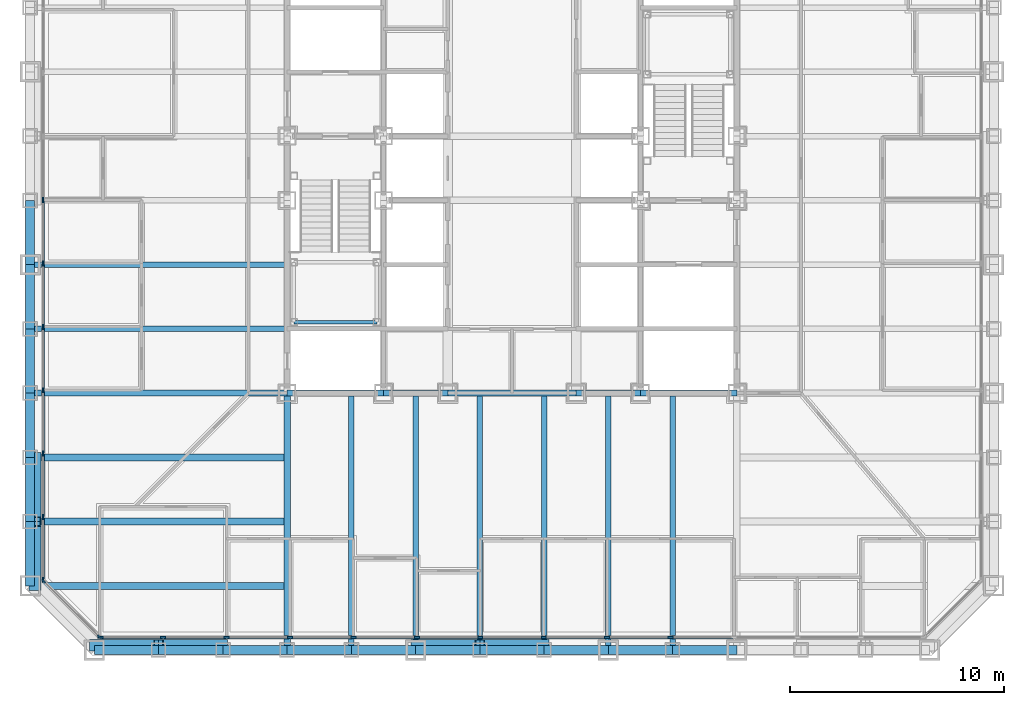
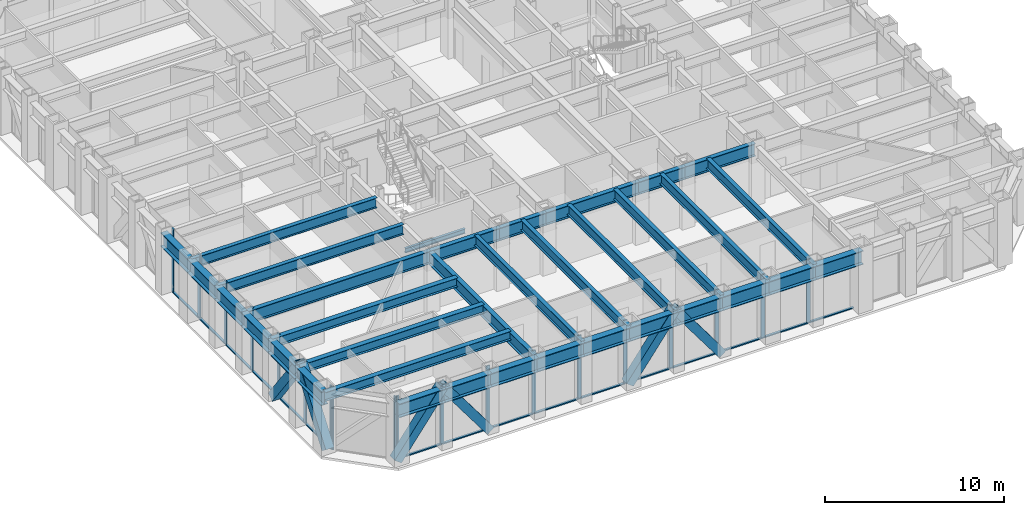
# One storey, part 2 of 16: 41 members, 35 beams, 3 elements without a shape of their own.
"""IFC4 building model written with IfcOpenShell, lengths in metres."""

from ifc_helpers import new_model, si_unit, direction, frame, origin, origin_2d, place, context, subcontext, project, spatial, rectangle, hollow_rectangle, i_section, extrude, material, layer, layer_set, material_profile, profile_set, type_object, element, aggregate, save


model = new_model("IFC4")

# Units and contexts
model_context = context("Model", 3, precision=1e-05, world=origin(), true_north=direction((0.0, 1.0)))
body_context = subcontext(model_context, "Body", "Model", "MODEL_VIEW")
ifc_project = project(units=[si_unit("LENGTHUNIT", "METRE"), si_unit("AREAUNIT", "SQUARE_METRE"), si_unit("VOLUMEUNIT", "CUBIC_METRE"), si_unit("PLANEANGLEUNIT", "RADIAN"), si_unit("MASSUNIT", "GRAM", prefix="KILO")], contexts=[model_context])

# Site, building, storey
site_placement = place(None, origin())
site = spatial("IfcSite", under=ifc_project, at=site_placement, CompositionType="ELEMENT")
building_placement = place(site_placement, origin())
building = spatial("IfcBuilding", under=site, at=building_placement, Name="Chuquiago Exchange Tower", CompositionType="ELEMENT")
storey_placement = place(building_placement, frame((0.0, 0.0, 33.300048828125)))
storey = spatial("IfcBuildingStorey", under=building, at=storey_placement, Name="L06", CompositionType="ELEMENT", Elevation=33.300048828125)

# Beams
ifc_material_1 = material(Name="Steel ASTM A992", Category="steel")
ifc_material_profile_1 = material_profile(ifc_material_1, i_section(OverallWidth=0.2919921875, OverallDepth=0.8583984375, WebThickness=0.01708984375, FlangeThickness=0.031005859375, at=origin_2d()), Name="W33X169")
ifc_profile_set_1 = profile_set([ifc_material_profile_1], Name="Steel ASTM A992")
beam_type_1 = type_object("IfcBeamType", Name="B3 W33X169", PredefinedType="BEAM", material=ifc_profile_set_1)
beam_1_placement = place(storey_placement, frame((12.0, 12.0, 3.610595703125), z_axis=(1.0, 0.0, 0.0), x_axis=(0.0, 1.0, 0.0)))
element("IfcBeam", 1, at=beam_1_placement, inside=storey, type_object=beam_type_1, Name="CB-L07-12_12-16.5_12", PredefinedType="BEAM", context=body_context, shape_type="SweptSolid", body=[
    extrude(i_section(OverallWidth=0.2919921875, OverallDepth=0.8583984375, WebThickness=0.01708984375, FlangeThickness=0.031005859375, at=origin_2d()), origin(), (0.0, 0.0, 1.0), 4.5),
])
beam_2_placement = place(storey_placement, frame((16.5, 12.0, 3.610595703125), z_axis=(1.0, 0.0, 0.0), x_axis=(0.0, 1.0, 0.0)))
element("IfcBeam", 2, at=beam_2_placement, inside=storey, type_object=beam_type_1, Name="CB-L07-16.5_12-19.5_12", PredefinedType="BEAM", context=body_context, shape_type="SweptSolid", body=[
    extrude(i_section(OverallWidth=0.2919921875, OverallDepth=0.8583984375, WebThickness=0.01708984375, FlangeThickness=0.031005859375, at=origin_2d()), origin(), (0.0, 0.0, 1.0), 3.0),
])
beam_3_placement = place(storey_placement, frame((19.5, 12.0, 3.610595703125), z_axis=(1.0, 0.0, 0.0), x_axis=(0.0, 1.0, 0.0)))
element("IfcBeam", 3, at=beam_3_placement, inside=storey, type_object=beam_type_1, Name="CB-L07-19.5_12-25.5_12", PredefinedType="BEAM", context=body_context, shape_type="SweptSolid", body=[
    extrude(i_section(OverallWidth=0.2919921875, OverallDepth=0.8583984375, WebThickness=0.01708984375, FlangeThickness=0.031005859375, at=origin_2d()), origin(), (0.0, 0.0, 1.0), 6.0),
])
beam_4_placement = place(storey_placement, frame((25.5, 12.0, 3.610595703125), z_axis=(1.0, 0.0, 0.0), x_axis=(0.0, 1.0, 0.0)))
element("IfcBeam", 4, at=beam_4_placement, inside=storey, type_object=beam_type_1, Name="CB-L07-25.5_12-28.5_12", PredefinedType="BEAM", context=body_context, shape_type="SweptSolid", body=[
    extrude(i_section(OverallWidth=0.2919921875, OverallDepth=0.8583984375, WebThickness=0.01708984375, FlangeThickness=0.031005859375, at=origin_2d()), origin(), (0.0, 0.0, 1.0), 3.0),
])
beam_5_placement = place(storey_placement, frame((28.5, 12.0, 3.610595703125), z_axis=(1.0, 0.0, 0.0), x_axis=(0.0, 1.0, 0.0)))
element("IfcBeam", 5, at=beam_5_placement, inside=storey, type_object=beam_type_1, Name="CB-L07-28.5_12-33_12", PredefinedType="BEAM", context=body_context, shape_type="SweptSolid", body=[
    extrude(i_section(OverallWidth=0.2919921875, OverallDepth=0.8583984375, WebThickness=0.01708984375, FlangeThickness=0.031005859375, at=origin_2d()), origin(), (0.0, 0.0, 1.0), 4.5),
])
ifc_material_2 = material(Name="Steel ASTM A992", Category="steel")
ifc_material_profile_2 = material_profile(ifc_material_2, i_section(OverallWidth=0.256591796875, OverallDepth=0.693359375, WebThickness=0.014404296875, FlangeThickness=0.023681640625, at=origin_2d()), Name="W27X114")
ifc_profile_set_2 = profile_set([ifc_material_profile_2], Name="Steel ASTM A992")
beam_type_2 = type_object("IfcBeamType", Name="B4 W27X114", PredefinedType="BEAM", material=ifc_profile_set_2)
for number, where, z_axis, x_axis, name in (
    (6, (15.0, 12.0, 3.693359375), (0.0, -1.0, 0.0), (1.0, 0.0, 0.0), "FB-L07-infill-15_12-15_-0-0"),
    (7, (18.0, 12.0, 3.693359375), (0.0, -1.0, 0.0), (1.0, 0.0, 0.0), "FB-L07-infill-18_12-18_-0-0"),
    (8, (21.0, 12.0, 3.693359375), (0.0, -1.0, 0.0), (1.0, 0.0, 0.0), "FB-L07-infill-21_12-21_-0-0"),
    (9, (24.0, 12.0, 3.693359375), (0.0, -1.0, 0.0), (1.0, 0.0, 0.0), "FB-L07-infill-24_12-24_-0-0"),
    (10, (27.0, 12.0, 3.693359375), (0.0, -1.0, 0.0), (1.0, 0.0, 0.0), "FB-L07-infill-27_12-27_-0-0"),
    (11, (30.0, 12.0, 3.693359375), (0.0, -1.0, 0.0), (1.0, 0.0, 0.0), "FB-L07-infill-30_12-30_-0-0"),
    (12, (12.0, 15.0, 3.693359375), (-1.0, 0.0, 0.0), (0.0, -1.0, 0.0), "FB-L07-infill-12_15--0_15-0"),
    (13, (12.0, 18.0, 3.693359375), (-1.0, 0.0, 0.0), (0.0, -1.0, 0.0), "FB-L07-infill-12_18--0_18-0"),
):
    element("IfcBeam", number, at=place(storey_placement, frame(where, z_axis=z_axis, x_axis=x_axis)), inside=storey, type_object=beam_type_2, Name=name, PredefinedType="BEAM", context=body_context, shape_type="SweptSolid", body=[
        extrude(i_section(OverallWidth=0.256591796875, OverallDepth=0.693359375, WebThickness=0.014404296875, FlangeThickness=0.023681640625, at=origin_2d()), origin(), (0.0, 0.0, 1.0), 12.0),
    ])
ifc_material_3 = material(Name="Steel ASTM A992", Category="steel")
ifc_material_profile_3 = material_profile(ifc_material_3, i_section(OverallWidth=0.3251953125, OverallDepth=0.6171875, WebThickness=0.013916015625, FlangeThickness=0.021484375, at=origin_2d()), Name="W24X117")
ifc_profile_set_3 = profile_set([ifc_material_profile_3], Name="Steel ASTM A992")
beam_type_3 = type_object("IfcBeamType", Name="B5 W24X117", PredefinedType="BEAM", material=ifc_profile_set_3)
for number, where, z_axis, x_axis, name in (
    (14, (12.0, 3.0, 3.7314453125), (-1.0, 0.0, 0.0), (0.0, -1.0, 0.0), "FB-L07-corner-12_3--0_3-0"),
    (15, (12.0, 6.0, 3.7314453125), (-1.0, 0.0, 0.0), (0.0, -1.0, 0.0), "FB-L07-corner-12_6--0_6-0"),
    (16, (12.0, 9.0, 3.7314453125), (-1.0, 0.0, 0.0), (0.0, -1.0, 0.0), "FB-L07-corner-12_9--0_9-0"),
):
    element("IfcBeam", number, at=place(storey_placement, frame(where, z_axis=z_axis, x_axis=x_axis)), inside=storey, type_object=beam_type_3, Name=name, PredefinedType="BEAM", context=body_context, shape_type="SweptSolid", body=[
        extrude(i_section(OverallWidth=0.3251953125, OverallDepth=0.6171875, WebThickness=0.013916015625, FlangeThickness=0.021484375, at=origin_2d()), origin(), (0.0, 0.0, 1.0), 12.0),
    ])

# Curtain wall, members
ifc_material_4 = material(Name="Aluminium curtain wall system", Category="aluminium")
ifc_layer_1 = layer(ifc_material_4, 0.25)
ifc_layer_set_1 = layer_set([ifc_layer_1], Name="CW1 trading floor curtain wall")
curtain_wall_type_1 = type_object("IfcCurtainWallType", Name="CW1 trading floor curtain wall", PredefinedType="NOTDEFINED", material=ifc_layer_set_1)
curtain_wall_1_placement = place(storey_placement, origin())
curtain_wall_1 = element("IfcCurtainWall", 17, at=curtain_wall_1_placement, inside=storey, type_object=curtain_wall_type_1, Name="CW1 curtain wall L06", PredefinedType="NOTDEFINED")
ifc_material_5 = material(Name="Aluminium mullion, pale anodised", Category="aluminium")
ifc_material_profile_4 = material_profile(ifc_material_5, rectangle(XDim=0.074951171875, YDim=0.25, at=origin_2d()), Name="AL 75x250")
ifc_profile_set_4 = profile_set([ifc_material_profile_4], Name="Aluminium mullion, pale anodised")
member_type_1 = type_object("IfcMemberType", Name="CW1-M mullion 75x250", PredefinedType="MULLION", material=ifc_profile_set_4)
member_1_placement = place(storey_placement, frame((3.285888671875, 0.60009765625, -0.300048828125), z_axis=(0.0, 0.0, 1.0), x_axis=(0.0, 1.0, 0.0)))
member_1 = element("IfcMember", 18, at=member_1_placement, type_object=member_type_1, Name="CW1 mullion 1", PredefinedType="MULLION", context=body_context, shape_type="SweptSolid", body=[
    extrude(rectangle(XDim=0.074951171875, YDim=0.25, at=origin_2d()), origin(), (0.0, 0.0, 1.0), 4.340087890625),
])
member_2_placement = place(storey_placement, frame((6.210205078125, 0.60009765625, -0.300048828125), z_axis=(0.0, 0.0, 1.0), x_axis=(0.0, 1.0, 0.0)))
member_2 = element("IfcMember", 19, at=member_2_placement, type_object=member_type_1, Name="CW1 mullion 2", PredefinedType="MULLION", context=body_context, shape_type="SweptSolid", body=[
    extrude(rectangle(XDim=0.074951171875, YDim=0.25, at=origin_2d()), origin(), (0.0, 0.0, 1.0), 4.340087890625),
])
member_3_placement = place(storey_placement, frame((9.172119140625, 0.60009765625, -0.300048828125), z_axis=(0.0, 0.0, 1.0), x_axis=(0.0, 1.0, 0.0)))
member_3 = element("IfcMember", 20, at=member_3_placement, type_object=member_type_1, Name="CW1 mullion 3", PredefinedType="MULLION", context=body_context, shape_type="SweptSolid", body=[
    extrude(rectangle(XDim=0.074951171875, YDim=0.25, at=origin_2d()), origin(), (0.0, 0.0, 1.0), 4.340087890625),
])
member_4_placement = place(storey_placement, frame((12.1337890625, 0.60009765625, -0.300048828125), z_axis=(0.0, 0.0, 1.0), x_axis=(0.0, 1.0, 0.0)))
member_4 = element("IfcMember", 21, at=member_4_placement, type_object=member_type_1, Name="CW1 mullion 4", PredefinedType="MULLION", context=body_context, shape_type="SweptSolid", body=[
    extrude(rectangle(XDim=0.074951171875, YDim=0.25, at=origin_2d()), origin(), (0.0, 0.0, 1.0), 4.340087890625),
])
member_5_placement = place(storey_placement, frame((15.095458984375, 0.60009765625, -0.300048828125), z_axis=(0.0, 0.0, 1.0), x_axis=(0.0, 1.0, 0.0)))
member_5 = element("IfcMember", 22, at=member_5_placement, type_object=member_type_1, Name="CW1 mullion 5", PredefinedType="MULLION", context=body_context, shape_type="SweptSolid", body=[
    extrude(rectangle(XDim=0.074951171875, YDim=0.25, at=origin_2d()), origin(), (0.0, 0.0, 1.0), 4.340087890625),
])
member_6_placement = place(storey_placement, frame((18.057373046875, 0.60009765625, -0.300048828125), z_axis=(0.0, 0.0, 1.0), x_axis=(0.0, 1.0, 0.0)))
member_6 = element("IfcMember", 23, at=member_6_placement, type_object=member_type_1, Name="CW1 mullion 6", PredefinedType="MULLION", context=body_context, shape_type="SweptSolid", body=[
    extrude(rectangle(XDim=0.074951171875, YDim=0.25, at=origin_2d()), origin(), (0.0, 0.0, 1.0), 4.340087890625),
])
member_7_placement = place(storey_placement, frame((21.01904296875, 0.60009765625, -0.300048828125), z_axis=(0.0, 0.0, 1.0), x_axis=(0.0, 1.0, 0.0)))
member_7 = element("IfcMember", 24, at=member_7_placement, type_object=member_type_1, Name="CW1 mullion 7", PredefinedType="MULLION", context=body_context, shape_type="SweptSolid", body=[
    extrude(rectangle(XDim=0.074951171875, YDim=0.25, at=origin_2d()), origin(), (0.0, 0.0, 1.0), 4.340087890625),
])
member_8_placement = place(storey_placement, frame((23.98095703125, 0.60009765625, -0.300048828125), z_axis=(0.0, 0.0, 1.0), x_axis=(0.0, 1.0, 0.0)))
member_8 = element("IfcMember", 25, at=member_8_placement, type_object=member_type_1, Name="CW1 mullion 8", PredefinedType="MULLION", context=body_context, shape_type="SweptSolid", body=[
    extrude(rectangle(XDim=0.074951171875, YDim=0.25, at=origin_2d()), origin(), (0.0, 0.0, 1.0), 4.340087890625),
])
member_9_placement = place(storey_placement, frame((26.942626953125, 0.60009765625, -0.300048828125), z_axis=(0.0, 0.0, 1.0), x_axis=(0.0, 1.0, 0.0)))
member_9 = element("IfcMember", 26, at=member_9_placement, type_object=member_type_1, Name="CW1 mullion 9", PredefinedType="MULLION", context=body_context, shape_type="SweptSolid", body=[
    extrude(rectangle(XDim=0.074951171875, YDim=0.25, at=origin_2d()), origin(), (0.0, 0.0, 1.0), 4.340087890625),
])
member_10_placement = place(storey_placement, frame((29.904541015625, 0.60009765625, -0.300048828125), z_axis=(0.0, 0.0, 1.0), x_axis=(0.0, 1.0, 0.0)))
member_10 = element("IfcMember", 27, at=member_10_placement, type_object=member_type_1, Name="CW1 mullion 10", PredefinedType="MULLION", context=body_context, shape_type="SweptSolid", body=[
    extrude(rectangle(XDim=0.074951171875, YDim=0.25, at=origin_2d()), origin(), (0.0, 0.0, 1.0), 4.340087890625),
])

curtain_wall_2_placement = place(storey_placement, origin())
curtain_wall_2 = element("IfcCurtainWall", 28, at=curtain_wall_2_placement, inside=storey, type_object=curtain_wall_type_1, Name="CW1 curtain wall L06", PredefinedType="NOTDEFINED")
member_11_placement = place(storey_placement, frame((0.60009765625, 21.01904296875, -0.300048828125), z_axis=(0.0, 0.0, 1.0), x_axis=(1.0, 0.0, 0.0)))
member_11 = element("IfcMember", 29, at=member_11_placement, type_object=member_type_1, Name="CW1 mullion 8", PredefinedType="MULLION", context=body_context, shape_type="SweptSolid", body=[
    extrude(rectangle(XDim=0.074951171875, YDim=0.25, at=origin_2d()), origin(), (0.0, 0.0, 1.0), 4.340087890625),
])
member_12_placement = place(storey_placement, frame((0.60009765625, 18.057373046875, -0.300048828125), z_axis=(0.0, 0.0, 1.0), x_axis=(1.0, 0.0, 0.0)))
member_12 = element("IfcMember", 30, at=member_12_placement, type_object=member_type_1, Name="CW1 mullion 9", PredefinedType="MULLION", context=body_context, shape_type="SweptSolid", body=[
    extrude(rectangle(XDim=0.074951171875, YDim=0.25, at=origin_2d()), origin(), (0.0, 0.0, 1.0), 4.340087890625),
])
member_13_placement = place(storey_placement, frame((0.60009765625, 15.095458984375, -0.300048828125), z_axis=(0.0, 0.0, 1.0), x_axis=(1.0, 0.0, 0.0)))
member_13 = element("IfcMember", 31, at=member_13_placement, type_object=member_type_1, Name="CW1 mullion 10", PredefinedType="MULLION", context=body_context, shape_type="SweptSolid", body=[
    extrude(rectangle(XDim=0.074951171875, YDim=0.25, at=origin_2d()), origin(), (0.0, 0.0, 1.0), 4.340087890625),
])
member_14_placement = place(storey_placement, frame((0.60009765625, 12.1337890625, -0.300048828125), z_axis=(0.0, 0.0, 1.0), x_axis=(1.0, 0.0, 0.0)))
member_14 = element("IfcMember", 32, at=member_14_placement, type_object=member_type_1, Name="CW1 mullion 11", PredefinedType="MULLION", context=body_context, shape_type="SweptSolid", body=[
    extrude(rectangle(XDim=0.074951171875, YDim=0.25, at=origin_2d()), origin(), (0.0, 0.0, 1.0), 4.340087890625),
])
member_15_placement = place(storey_placement, frame((0.60009765625, 9.172119140625, -0.300048828125), z_axis=(0.0, 0.0, 1.0), x_axis=(1.0, 0.0, 0.0)))
member_15 = element("IfcMember", 33, at=member_15_placement, type_object=member_type_1, Name="CW1 mullion 12", PredefinedType="MULLION", context=body_context, shape_type="SweptSolid", body=[
    extrude(rectangle(XDim=0.074951171875, YDim=0.25, at=origin_2d()), origin(), (0.0, 0.0, 1.0), 4.340087890625),
])
member_16_placement = place(storey_placement, frame((0.60009765625, 6.210205078125, -0.300048828125), z_axis=(0.0, 0.0, 1.0), x_axis=(1.0, 0.0, 0.0)))
member_16 = element("IfcMember", 34, at=member_16_placement, type_object=member_type_1, Name="CW1 mullion 13", PredefinedType="MULLION", context=body_context, shape_type="SweptSolid", body=[
    extrude(rectangle(XDim=0.074951171875, YDim=0.25, at=origin_2d()), origin(), (0.0, 0.0, 1.0), 4.340087890625),
])
member_17_placement = place(storey_placement, frame((0.60009765625, 3.285888671875, -0.300048828125), z_axis=(0.0, 0.0, 1.0), x_axis=(1.0, 0.0, 0.0)))
member_17 = element("IfcMember", 35, at=member_17_placement, type_object=member_type_1, Name="CW1 mullion 14", PredefinedType="MULLION", context=body_context, shape_type="SweptSolid", body=[
    extrude(rectangle(XDim=0.074951171875, YDim=0.25, at=origin_2d()), origin(), (0.0, 0.0, 1.0), 4.340087890625),
])

# Member
ifc_material_6 = material(Name="Aluminium transom, pale anodised", Category="aluminium")
ifc_material_profile_5 = material_profile(ifc_material_6, rectangle(XDim=0.14990234375, YDim=0.074951171875, at=origin_2d()), Name="AL 150x75")
ifc_profile_set_5 = profile_set([ifc_material_profile_5], Name="Aluminium transom, pale anodised")
member_type_2 = type_object("IfcMemberType", Name="CW1-T transom 75x150", PredefinedType="MULLION", material=ifc_profile_set_5)
member_18_placement = place(storey_placement, frame((3.323486328125, 0.60009765625, -0.262451171875), z_axis=(1.0, 0.0, 0.0), x_axis=(0.0, 1.0, 0.0)))
member_18 = element("IfcMember", 36, at=member_18_placement, type_object=member_type_2, Name="CW1 transom 1.1", PredefinedType="MULLION", context=body_context, shape_type="SweptSolid", body=[
    extrude(rectangle(XDim=0.14990234375, YDim=0.074951171875, at=origin_2d()), origin(), (0.0, 0.0, 1.0), 2.849365234375),
])

member_19_placement = place(storey_placement, frame((6.247802734375, 0.60009765625, -0.262451171875), z_axis=(1.0, 0.0, 0.0), x_axis=(0.0, 1.0, 0.0)))
member_19 = element("IfcMember", 37, at=member_19_placement, type_object=member_type_2, Name="CW1 transom 2.1", PredefinedType="MULLION", context=body_context, shape_type="SweptSolid", body=[
    extrude(rectangle(XDim=0.14990234375, YDim=0.074951171875, at=origin_2d()), origin(), (0.0, 0.0, 1.0), 2.88671875),
])

member_20_placement = place(storey_placement, frame((9.20947265625, 0.60009765625, -0.262451171875), z_axis=(1.0, 0.0, 0.0), x_axis=(0.0, 1.0, 0.0)))
member_20 = element("IfcMember", 38, at=member_20_placement, type_object=member_type_2, Name="CW1 transom 3.1", PredefinedType="MULLION", context=body_context, shape_type="SweptSolid", body=[
    extrude(rectangle(XDim=0.14990234375, YDim=0.074951171875, at=origin_2d()), origin(), (0.0, 0.0, 1.0), 2.88671875),
])

member_21_placement = place(storey_placement, frame((12.17138671875, 0.60009765625, -0.262451171875), z_axis=(1.0, 0.0, 0.0), x_axis=(0.0, 1.0, 0.0)))
member_21 = element("IfcMember", 39, at=member_21_placement, type_object=member_type_2, Name="CW1 transom 4.1", PredefinedType="MULLION", context=body_context, shape_type="SweptSolid", body=[
    extrude(rectangle(XDim=0.14990234375, YDim=0.074951171875, at=origin_2d()), origin(), (0.0, 0.0, 1.0), 2.88671875),
])

member_22_placement = place(storey_placement, frame((15.133056640625, 0.60009765625, -0.262451171875), z_axis=(1.0, 0.0, 0.0), x_axis=(0.0, 1.0, 0.0)))
member_22 = element("IfcMember", 40, at=member_22_placement, type_object=member_type_2, Name="CW1 transom 5.1", PredefinedType="MULLION", context=body_context, shape_type="SweptSolid", body=[
    extrude(rectangle(XDim=0.14990234375, YDim=0.074951171875, at=origin_2d()), origin(), (0.0, 0.0, 1.0), 2.88671875),
])

member_23_placement = place(storey_placement, frame((18.0947265625, 0.60009765625, -0.262451171875), z_axis=(1.0, 0.0, 0.0), x_axis=(0.0, 1.0, 0.0)))
member_23 = element("IfcMember", 41, at=member_23_placement, type_object=member_type_2, Name="CW1 transom 6.1", PredefinedType="MULLION", context=body_context, shape_type="SweptSolid", body=[
    extrude(rectangle(XDim=0.14990234375, YDim=0.074951171875, at=origin_2d()), origin(), (0.0, 0.0, 1.0), 2.886962890625),
])

member_24_placement = place(storey_placement, frame((21.056640625, 0.60009765625, -0.262451171875), z_axis=(1.0, 0.0, 0.0), x_axis=(0.0, 1.0, 0.0)))
member_24 = element("IfcMember", 42, at=member_24_placement, type_object=member_type_2, Name="CW1 transom 7.1", PredefinedType="MULLION", context=body_context, shape_type="SweptSolid", body=[
    extrude(rectangle(XDim=0.14990234375, YDim=0.074951171875, at=origin_2d()), origin(), (0.0, 0.0, 1.0), 2.88671875),
])

member_25_placement = place(storey_placement, frame((24.018310546875, 0.60009765625, -0.262451171875), z_axis=(1.0, 0.0, 0.0), x_axis=(0.0, 1.0, 0.0)))
member_25 = element("IfcMember", 43, at=member_25_placement, type_object=member_type_2, Name="CW1 transom 8.1", PredefinedType="MULLION", context=body_context, shape_type="SweptSolid", body=[
    extrude(rectangle(XDim=0.14990234375, YDim=0.074951171875, at=origin_2d()), origin(), (0.0, 0.0, 1.0), 2.886962890625),
])

member_26_placement = place(storey_placement, frame((26.980224609375, 0.60009765625, -0.262451171875), z_axis=(1.0, 0.0, 0.0), x_axis=(0.0, 1.0, 0.0)))
member_26 = element("IfcMember", 44, at=member_26_placement, type_object=member_type_2, Name="CW1 transom 9.1", PredefinedType="MULLION", context=body_context, shape_type="SweptSolid", body=[
    extrude(rectangle(XDim=0.14990234375, YDim=0.074951171875, at=origin_2d()), origin(), (0.0, 0.0, 1.0), 2.88671875),
])

member_27_placement = place(storey_placement, frame((29.94189453125, 0.60009765625, -0.262451171875), z_axis=(1.0, 0.0, 0.0), x_axis=(0.0, 1.0, 0.0)))
member_27 = element("IfcMember", 45, at=member_27_placement, type_object=member_type_2, Name="CW1 transom 10.1", PredefinedType="MULLION", context=body_context, shape_type="SweptSolid", body=[
    extrude(rectangle(XDim=0.14990234375, YDim=0.074951171875, at=origin_2d()), origin(), (0.0, 0.0, 1.0), 2.88671875),
])

aggregate(curtain_wall_1, [member_1, member_2, member_3, member_4, member_5, member_6, member_7, member_8, member_9, member_10, member_18, member_19, member_20, member_21, member_22, member_23, member_24, member_25, member_26, member_27])

member_28_placement = place(storey_placement, frame((0.60009765625, 20.981689453125, -0.262451171875), z_axis=(0.0, -1.0, 0.0), x_axis=(1.0, 0.0, 0.0)))
member_28 = element("IfcMember", 46, at=member_28_placement, type_object=member_type_2, Name="CW1 transom 8.1", PredefinedType="MULLION", context=body_context, shape_type="SweptSolid", body=[
    extrude(rectangle(XDim=0.14990234375, YDim=0.074951171875, at=origin_2d()), origin(), (0.0, 0.0, 1.0), 2.886962890625),
])

member_29_placement = place(storey_placement, frame((0.60009765625, 18.019775390625, -0.262451171875), z_axis=(0.0, -1.0, 0.0), x_axis=(1.0, 0.0, 0.0)))
member_29 = element("IfcMember", 47, at=member_29_placement, type_object=member_type_2, Name="CW1 transom 9.1", PredefinedType="MULLION", context=body_context, shape_type="SweptSolid", body=[
    extrude(rectangle(XDim=0.14990234375, YDim=0.074951171875, at=origin_2d()), origin(), (0.0, 0.0, 1.0), 2.88671875),
])

member_30_placement = place(storey_placement, frame((0.60009765625, 15.05810546875, -0.262451171875), z_axis=(0.0, -1.0, 0.0), x_axis=(1.0, 0.0, 0.0)))
member_30 = element("IfcMember", 48, at=member_30_placement, type_object=member_type_2, Name="CW1 transom 10.1", PredefinedType="MULLION", context=body_context, shape_type="SweptSolid", body=[
    extrude(rectangle(XDim=0.14990234375, YDim=0.074951171875, at=origin_2d()), origin(), (0.0, 0.0, 1.0), 2.88671875),
])

member_31_placement = place(storey_placement, frame((0.60009765625, 12.09619140625, -0.262451171875), z_axis=(0.0, -1.0, 0.0), x_axis=(1.0, 0.0, 0.0)))
member_31 = element("IfcMember", 49, at=member_31_placement, type_object=member_type_2, Name="CW1 transom 11.1", PredefinedType="MULLION", context=body_context, shape_type="SweptSolid", body=[
    extrude(rectangle(XDim=0.14990234375, YDim=0.074951171875, at=origin_2d()), origin(), (0.0, 0.0, 1.0), 2.88671875),
])

member_32_placement = place(storey_placement, frame((0.60009765625, 9.134521484375, -0.262451171875), z_axis=(0.0, -1.0, 0.0), x_axis=(1.0, 0.0, 0.0)))
member_32 = element("IfcMember", 50, at=member_32_placement, type_object=member_type_2, Name="CW1 transom 12.1", PredefinedType="MULLION", context=body_context, shape_type="SweptSolid", body=[
    extrude(rectangle(XDim=0.14990234375, YDim=0.074951171875, at=origin_2d()), origin(), (0.0, 0.0, 1.0), 2.88671875),
])

member_33_placement = place(storey_placement, frame((0.60009765625, 6.1728515625, -0.262451171875), z_axis=(0.0, -1.0, 0.0), x_axis=(1.0, 0.0, 0.0)))
member_33 = element("IfcMember", 51, at=member_33_placement, type_object=member_type_2, Name="CW1 transom 13.1", PredefinedType="MULLION", context=body_context, shape_type="SweptSolid", body=[
    extrude(rectangle(XDim=0.14990234375, YDim=0.074951171875, at=origin_2d()), origin(), (0.0, 0.0, 1.0), 2.849365234375),
])

aggregate(curtain_wall_2, [member_11, member_12, member_13, member_14, member_15, member_16, member_17, member_28, member_29, member_30, member_31, member_32, member_33])

# Curtain wall, members
ifc_material_7 = material(Name="Aluminium curtain wall system", Category="aluminium")
ifc_layer_2 = layer(ifc_material_7, 0.199951171875)
ifc_layer_set_2 = layer_set([ifc_layer_2], Name="CW3 facet curtain wall")
curtain_wall_type_2 = type_object("IfcCurtainWallType", Name="CW3 facet curtain wall", PredefinedType="NOTDEFINED", material=ifc_layer_set_2)
curtain_wall_3_placement = place(storey_placement, origin())
curtain_wall_3 = element("IfcCurtainWall", 52, at=curtain_wall_3_placement, inside=storey, type_object=curtain_wall_type_2, Name="CW3 curtain wall L06", PredefinedType="NOTDEFINED")
ifc_material_8 = material(Name="Aluminium mullion, pale anodised", Category="aluminium")
ifc_material_profile_6 = material_profile(ifc_material_8, rectangle(XDim=0.06494140625, YDim=0.199951171875, at=origin_2d()), Name="AL 65x200")
ifc_profile_set_6 = profile_set([ifc_material_profile_6], Name="Aluminium mullion, pale anodised")
member_type_3 = type_object("IfcMemberType", Name="CW3-M mullion 65x200", PredefinedType="MULLION", material=ifc_profile_set_6)
member_34_placement = place(storey_placement, frame((0.623046875, 3.2255859375, -0.300048828125), z_axis=(0.0, 0.0, 1.0), x_axis=(0.707106781187, 0.707106781187, 0.0)))
member_34 = element("IfcMember", 53, at=member_34_placement, type_object=member_type_3, Name="CW3 mullion 1", PredefinedType="MULLION", context=body_context, shape_type="SweptSolid", body=[
    extrude(rectangle(XDim=0.06494140625, YDim=0.199951171875, at=origin_2d()), origin(), (0.0, 0.0, 1.0), 4.340087890625),
])
member_35_placement = place(storey_placement, frame((3.2255859375, 0.623046875, -0.300048828125), z_axis=(0.0, 0.0, 1.0), x_axis=(0.707106781187, 0.707106781187, 0.0)))
member_35 = element("IfcMember", 54, at=member_35_placement, type_object=member_type_3, Name="CW3 mullion 2", PredefinedType="MULLION", context=body_context, shape_type="SweptSolid", body=[
    extrude(rectangle(XDim=0.06494140625, YDim=0.199951171875, at=origin_2d()), origin(), (0.0, 0.0, 1.0), 4.340087890625),
])
aggregate(curtain_wall_3, [member_34, member_35])

# Beams
ifc_material_9 = material(Name="Steel ASTM A992", Category="steel")
ifc_material_profile_7 = material_profile(ifc_material_9, i_section(OverallWidth=0.2919921875, OverallDepth=0.8583984375, WebThickness=0.01708984375, FlangeThickness=0.031005859375, at=origin_2d()), Name="W33X169")
ifc_profile_set_7 = profile_set([ifc_material_profile_7], Name="Steel ASTM A992")
beam_type_4 = type_object("IfcBeamType", Name="G2 W33X169", PredefinedType="BEAM", material=ifc_profile_set_7)
for number, where, z_axis, x_axis, name in (
    (55, (12.0, 12.0, 3.610595703125), (0.0, -1.0, 0.0), (1.0, 0.0, 0.0), "FB-L07-girder-12_12-12_-0-0"),
    (56, (12.0, 12.0, 3.610595703125), (-1.0, 0.0, 0.0), (0.0, -1.0, 0.0), "FB-L07-girder-12_12--0_12-0"),
):
    element("IfcBeam", number, at=place(storey_placement, frame(where, z_axis=z_axis, x_axis=x_axis)), inside=storey, type_object=beam_type_4, Name=name, PredefinedType="BEAM", context=body_context, shape_type="SweptSolid", body=[
        extrude(i_section(OverallWidth=0.2919921875, OverallDepth=0.8583984375, WebThickness=0.01708984375, FlangeThickness=0.031005859375, at=origin_2d()), origin(), (0.0, 0.0, 1.0), 12.0),
    ])
ifc_material_10 = material(Name="Steel ASTM A992", Category="steel")
ifc_material_profile_8 = material_profile(ifc_material_10, i_section(OverallWidth=0.164794921875, OverallDepth=0.309814453125, WebThickness=0.005859375, FlangeThickness=0.009765625, at=origin_2d()), Name="W12X26")
ifc_profile_set_8 = profile_set([ifc_material_profile_8], Name="Steel ASTM A992")
beam_type_5 = type_object("IfcBeamType", Name="LT1 W12X26", PredefinedType="BEAM", material=ifc_profile_set_8)
beam_6_placement = place(storey_placement, frame((12.31005859375, 15.31005859375, 1.89501953125), z_axis=(1.0, 0.0, 0.0), x_axis=(0.0, 1.0, 0.0)))
element("IfcBeam", 57, at=beam_6_placement, inside=storey, type_object=beam_type_5, Name="Stair ST1 L06 landing 1 trimmer", PredefinedType="BEAM", context=body_context, shape_type="SweptSolid", body=[
    extrude(i_section(OverallWidth=0.164794921875, OverallDepth=0.309814453125, WebThickness=0.005859375, FlangeThickness=0.009765625, at=origin_2d()), origin(), (0.0, 0.0, 1.0), 3.8798828125),
])

# Members
ifc_material_11 = material(Name="Steel ASTM A572 Grade 50", Category="steel")
ifc_material_profile_9 = material_profile(ifc_material_11, hollow_rectangle(XDim=0.550048828125, YDim=0.550048828125, WallThickness=0.044921875, at=origin_2d()), Name="BOX550X550X45")
ifc_profile_set_9 = profile_set([ifc_material_profile_9], Name="Steel ASTM A572 Grade 50")
member_type_4 = type_object("IfcMemberType", Name="MB1 BOX550X550X45", PredefinedType="BRACE", material=ifc_profile_set_9)
for number, where, z_axis, x_axis, name in (
    (58, (3.0, 0.22998046875, 0.0), (0.596173923302, 0.0, 0.802855312728), (0.0, 1.0, 0.0), "Mega diagonal L06 S face"),
    (59, (9.0, 0.22998046875, 0.0), (-0.596173923302, 0.0, 0.802855312728), (0.0, -1.0, 0.0), "Mega diagonal L06 S face"),
    (60, (18.0, 0.22998046875, 0.0), (0.596173923302, 0.0, 0.802855312728), (0.0, 1.0, 0.0), "Mega diagonal L06 S face"),
    (61, (24.0, 0.22998046875, 0.0), (-0.596173923302, 0.0, 0.802855312728), (0.0, -1.0, 0.0), "Mega diagonal L06 S face"),
    (62, (0.22998046875, 9.0, 0.0), (0.0, -0.596173923302, 0.802855312728), (1.0, 0.0, 0.0), "Mega diagonal L06 W face"),
    (63, (0.22998046875, 3.0, 0.0), (0.0, 0.596173923302, 0.802855312728), (-1.0, 0.0, 0.0), "Mega diagonal L06 W face"),
):
    element("IfcMember", number, at=place(storey_placement, frame(where, z_axis=z_axis, x_axis=x_axis)), inside=storey, type_object=member_type_4, Name=name, PredefinedType="BRACE", context=body_context, shape_type="SweptSolid", body=[
        extrude(hollow_rectangle(XDim=0.550048828125, YDim=0.550048828125, WallThickness=0.044921875, at=origin_2d()), origin(), (0.0, 0.0, 1.0), 5.031982421875),
    ])

# Beams
ifc_material_12 = material(Name="Steel ASTM A992", Category="steel")
ifc_material_profile_10 = material_profile(ifc_material_12, i_section(OverallWidth=0.424072265625, OverallDepth=0.947509765625, WebThickness=0.02392578125, FlangeThickness=0.042724609375, at=origin_2d()), Name="W36X302")
ifc_profile_set_10 = profile_set([ifc_material_profile_10], Name="Steel ASTM A992")
beam_type_6 = type_object("IfcBeamType", Name="SP1 W36X302", PredefinedType="SPANDREL", material=ifc_profile_set_10)
for number, where, z_axis, x_axis, name in (
    (64, (3.0, 0.0, 3.566162109375), (1.0, 0.0, 0.0), (0.0, 1.0, 0.0), "SPB-L07-3_0-6_0"),
    (65, (6.0, 0.0, 3.566162109375), (1.0, 0.0, 0.0), (0.0, 1.0, 0.0), "SPB-L07-6_0-9_0"),
    (66, (9.0, 0.0, 3.566162109375), (1.0, 0.0, 0.0), (0.0, 1.0, 0.0), "SPB-L07-9_0-12_0"),
    (67, (12.0, 0.0, 3.566162109375), (1.0, 0.0, 0.0), (0.0, 1.0, 0.0), "SPB-L07-12_0-15_0"),
    (68, (15.0, 0.0, 3.566162109375), (1.0, 0.0, 0.0), (0.0, 1.0, 0.0), "SPB-L07-15_0-18_0"),
    (69, (18.0, 0.0, 3.566162109375), (1.0, 0.0, 0.0), (0.0, 1.0, 0.0), "SPB-L07-18_0-21_0"),
    (70, (21.0, 0.0, 3.566162109375), (1.0, 0.0, 0.0), (0.0, 1.0, 0.0), "SPB-L07-21_0-24_0"),
    (71, (24.0, 0.0, 3.566162109375), (1.0, 0.0, 0.0), (0.0, 1.0, 0.0), "SPB-L07-24_0-27_0"),
    (72, (27.0, 0.0, 3.566162109375), (1.0, 0.0, 0.0), (0.0, 1.0, 0.0), "SPB-L07-27_0-30_0"),
    (73, (30.0, 0.0, 3.566162109375), (1.0, 0.0, 0.0), (0.0, 1.0, 0.0), "SPB-L07-30_0-33_0"),
    (74, (0.0, 21.0, 3.566162109375), (0.0, -1.0, 0.0), (1.0, 0.0, 0.0), "SPB-L07-0_21-0_18"),
    (75, (0.0, 18.0, 3.566162109375), (0.0, -1.0, 0.0), (1.0, 0.0, 0.0), "SPB-L07-0_18-0_15"),
    (76, (0.0, 15.0, 3.566162109375), (0.0, -1.0, 0.0), (1.0, 0.0, 0.0), "SPB-L07-0_15-0_12"),
    (77, (0.0, 12.0, 3.566162109375), (0.0, -1.0, 0.0), (1.0, 0.0, 0.0), "SPB-L07-0_12-0_9"),
    (78, (0.0, 9.0, 3.566162109375), (0.0, -1.0, 0.0), (1.0, 0.0, 0.0), "SPB-L07-0_9-0_6"),
    (79, (0.0, 6.0, 3.566162109375), (0.0, -1.0, 0.0), (1.0, 0.0, 0.0), "SPB-L07-0_6-0_3"),
):
    element("IfcBeam", number, at=place(storey_placement, frame(where, z_axis=z_axis, x_axis=x_axis)), inside=storey, type_object=beam_type_6, Name=name, PredefinedType="SPANDREL", context=body_context, shape_type="SweptSolid", body=[
        extrude(i_section(OverallWidth=0.424072265625, OverallDepth=0.947509765625, WebThickness=0.02392578125, FlangeThickness=0.042724609375, at=origin_2d()), origin(), (0.0, 0.0, 1.0), 3.0),
    ])

save(model, "model.ifc")
